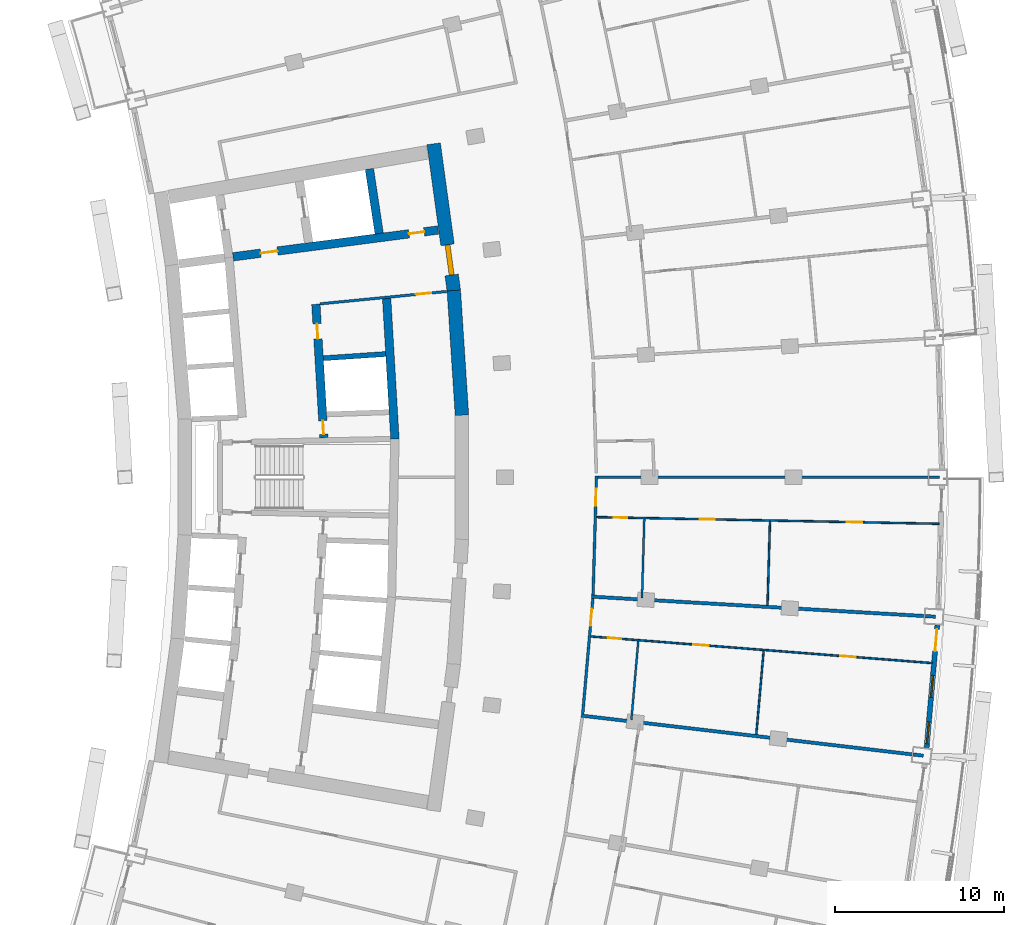
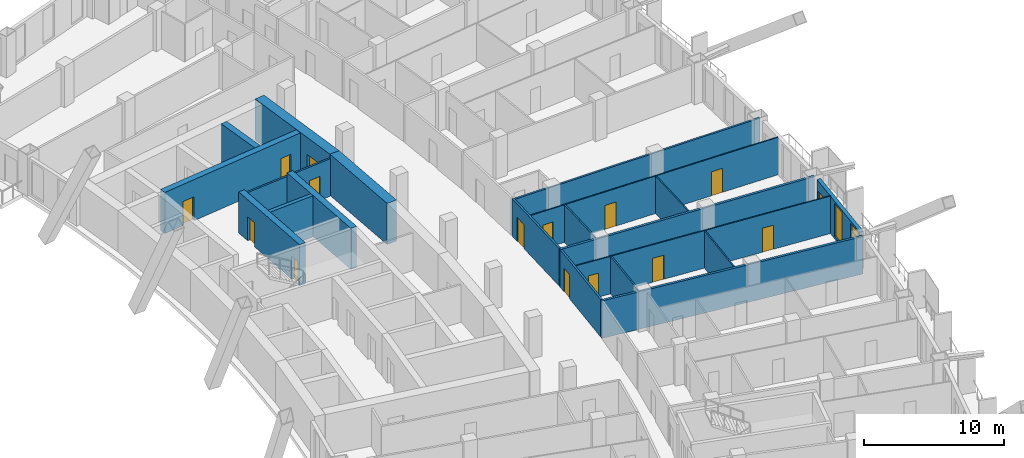
# One storey, part 17 of 25: 20 walls, 15 doors, 2 windows, 17 openings.
"""IFC4 building model written with IfcOpenShell, lengths in metres."""

from ifc_helpers import new_model, si_unit, direction, frame, frame_2d, origin, place, context, subcontext, project, spatial, rectangle, extrude, material, layer, layer_set, type_object, element, fill, save


model = new_model("IFC4")

# Units and contexts
model_context = context("Model", 3, precision=1e-05, world=origin(), true_north=direction((0.0, 1.0)))
body_context = subcontext(model_context, "Body", "Model", "MODEL_VIEW")
ifc_project = project(units=[si_unit("LENGTHUNIT", "METRE"), si_unit("AREAUNIT", "SQUARE_METRE"), si_unit("VOLUMEUNIT", "CUBIC_METRE"), si_unit("PLANEANGLEUNIT", "RADIAN"), si_unit("MASSUNIT", "GRAM", prefix="KILO")], contexts=[model_context])

# Site, building, storey
site_placement = place(None, origin())
site = spatial("IfcSite", under=ifc_project, at=site_placement, CompositionType="ELEMENT")
building_placement = place(site_placement, origin())
building = spatial("IfcBuilding", under=site, at=building_placement, Name="Alderwake Tower", CompositionType="ELEMENT")
storey_placement = place(building_placement, frame((0.0, 0.0, 93.199951171875)))
storey = spatial("IfcBuildingStorey", under=building, at=storey_placement, Name="L22", CompositionType="ELEMENT", Elevation=93.199951171875)

# Wall, opening, door
ifc_material_1 = material(Name="Gypsum shaft wall system, rated")
ifc_layer_1 = layer(ifc_material_1, 0.14990234375)
ifc_layer_set_1 = layer_set([ifc_layer_1], Name="Core room partition 150")
wall_type_1 = type_object("IfcWallType", Name="Core room partition 150", PredefinedType="PARTITIONING", material=ifc_layer_set_1)
wall_1_placement = place(storey_placement, frame((32.333251953125, 71.991943359375, 0.0), z_axis=(0.0, 0.0, 1.0), x_axis=(-0.995248348328, -0.097369015353, 0.0)))
wall_1 = element("IfcWall", 1, at=wall_1_placement, inside=storey, type_object=wall_type_1, Name="CW/L22/PR+102_+86", PredefinedType="PARTITIONING", context=body_context, shape_type="SweptSolid", body=[
    extrude(rectangle(XDim=7.51953125, YDim=0.14990234375, at=frame_2d((3.759765625, 0.0))), origin(), (0.0, 0.0, 1.0), 3.280029296875),
])
opening_1_placement = place(wall_1_placement, frame((0.919921875, 0.0, 0.0)))
opening_1 = element("IfcOpeningElement", 2, at=opening_1_placement, cuts=wall_1, Name="Opening C032", PredefinedType="OPENING", context=body_context, shape_type="SweptSolid", body=[
    extrude(rectangle(XDim=0.89990234375, YDim=2.10009765625, at=frame_2d((0.449951171875, 1.050048828125))), frame((0.0, 0.0849609375, 0.0), z_axis=(0.0, -1.0, 0.0), x_axis=(1.0, 0.0, 0.0)), (0.0, 0.0, 1.0), 0.169921875),
])
ifc_material_2 = material(Name="Painted steel leaf", Category="steel")
door_type_1 = type_object("IfcDoorType", Name="Core room door 900", OperationType="SINGLE_SWING_LEFT", PredefinedType="DOOR", material=ifc_material_2)
door_1_placement = place(opening_1_placement, origin())
door_1 = element("IfcDoor", 3, at=door_1_placement, inside=storey, type_object=door_type_1, Name="Room door", OperationType="SINGLE_SWING_RIGHT", OverallHeight=2.10009765625, OverallWidth=0.89990234375, PredefinedType="DOOR", context=body_context, shape_type="SweptSolid", body=[
    extrude(rectangle(XDim=0.89990234375, YDim=2.10009765625, at=frame_2d((0.449951171875, 1.050048828125))), frame((0.0, 0.02490234375, 0.0), z_axis=(0.0, -1.0, 0.0), x_axis=(1.0, 0.0, 0.0)), (0.0, 0.0, 1.0), 0.050048828125),
])
fill(opening_1, door_1)

# Wall
ifc_material_3 = material(Name="Concrete C70/85", Category="concrete")
ifc_layer_2 = layer(ifc_material_3, 0.800048828125)
ifc_layer_set_2 = layer_set([ifc_layer_2], Name="Core wall outer 800 C70-85")
wall_type_2 = type_object("IfcWallType", Name="Core wall outer 800 C70-85", PredefinedType="SHEAR", material=ifc_layer_set_2)
wall_2_placement = place(storey_placement, frame((33.240966796875, 64.669677734375, 0.0), z_axis=(0.0, 0.0, 1.0), x_axis=(-0.064976219143, 0.997886812693, 0.0)))
element("IfcWall", 4, at=wall_2_placement, inside=storey, type_object=wall_type_2, Name="Core wall CW.010", PredefinedType="SHEAR", context=body_context, shape_type="SweptSolid", body=[
    extrude(rectangle(XDim=7.39453125, YDim=0.800048828125, at=frame_2d((3.697265625, 0.0))), origin(), (0.0, 0.0, 1.0), 3.60009765625),
])

# Wall, opening, door
wall_3_placement = place(storey_placement, frame((31.569580078125, 80.7265625, 0.0), z_axis=(0.0, 0.0, 1.0), x_axis=(0.135838347444, -0.990731014637, 0.0)))
wall_3 = element("IfcWall", 5, at=wall_3_placement, inside=storey, type_object=wall_type_2, Name="Core wall CW.009", PredefinedType="SHEAR", context=body_context, shape_type="SweptSolid", body=[
    extrude(rectangle(XDim=8.788818359375, YDim=0.800048828125, at=frame_2d((4.39453125, 0.0))), origin(), (0.0, 0.0, 1.0), 3.60009765625),
])
opening_2_placement = place(wall_3_placement, frame((6.032958984375, 0.0, 0.0)))
opening_2 = element("IfcOpeningElement", 6, at=opening_2_placement, cuts=wall_3, Name="Opening C001", PredefinedType="OPENING", context=body_context, shape_type="SweptSolid", body=[
    extrude(rectangle(XDim=1.800048828125, YDim=2.10009765625, at=frame_2d((0.89990234375, 1.050048828125))), frame((0.0, 0.409912109375, 0.0), z_axis=(0.0, -1.0, 0.0), x_axis=(1.0, 0.0, 0.0)), (0.0, 0.0, 1.0), 0.820068359375),
])
ifc_material_4 = material(Name="Steel-framed fire door leaves", Category="steel")
door_type_2 = type_object("IfcDoorType", Name="Core double door 1800 fire-rated", OperationType="DOUBLE_DOOR_SINGLE_SWING", PredefinedType="DOOR", material=ifc_material_4)
door_2_placement = place(opening_2_placement, origin())
door_2 = element("IfcDoor", 7, at=door_2_placement, inside=storey, type_object=door_type_2, Name="Lobby double door", OperationType="DOUBLE_DOOR_SINGLE_SWING", OverallHeight=2.10009765625, OverallWidth=1.800048828125, PredefinedType="DOOR", context=body_context, shape_type="SweptSolid", body=[
    extrude(rectangle(XDim=1.800048828125, YDim=2.10009765625, at=frame_2d((0.89990234375, 1.050048828125))), frame((0.0, 0.14990234375, 0.0), z_axis=(0.0, -1.0, 0.0), x_axis=(1.0, 0.0, 0.0)), (0.0, 0.0, 1.0), 0.300048828125),
])
fill(opening_2, door_2)

# Wall
ifc_material_5 = material(Name="Concrete C70/85", Category="concrete")
ifc_layer_3 = layer(ifc_material_5, 0.300048828125)
ifc_layer_set_3 = layer_set([ifc_layer_3], Name="Core wall shaft 300 C70-85")
wall_type_3 = type_object("IfcWallType", Name="Core wall shaft 300 C70-85", PredefinedType="SHEAR", material=ifc_layer_set_3)
wall_4_placement = place(storey_placement, frame((25.042236328125, 68.0419921875, 0.0), z_axis=(0.0, 0.0, 1.0), x_axis=(0.997759366198, 0.066904761896, 0.0)))
element("IfcWall", 8, at=wall_4_placement, inside=storey, type_object=wall_type_3, Name="Core wall CW.063", PredefinedType="SHEAR", context=body_context, shape_type="SweptSolid", body=[
    extrude(rectangle(XDim=3.696533203125, YDim=0.300048828125, at=frame_2d((1.84814453125, 0.0))), origin(), (0.0, 0.0, 1.0), 3.60009765625),
])

# Wall, openings, doors
ifc_material_6 = material(Name="Concrete C70/85", Category="concrete")
ifc_layer_4 = layer(ifc_material_6, 0.5)
ifc_layer_set_4 = layer_set([ifc_layer_4], Name="Core wall spine 500 C70-85")
wall_type_4 = type_object("IfcWallType", Name="Core wall spine 500 C70-85", PredefinedType="SHEAR", material=ifc_layer_set_4)
wall_5_placement = place(storey_placement, frame((25.073974609375, 63.335693359375, 0.0), z_axis=(0.0, 0.0, 1.0), x_axis=(-0.059848641072, 0.998207463487, 0.0)))
wall_5 = element("IfcWall", 9, at=wall_5_placement, inside=storey, type_object=wall_type_4, Name="Core wall CW.045", PredefinedType="SHEAR", context=body_context, shape_type="SweptSolid", body=[
    extrude(rectangle(XDim=7.913818359375, YDim=0.5, at=frame_2d((3.95703125, 0.0))), origin(), (0.0, 0.0, 1.0), 3.60009765625),
])
opening_3_placement = place(wall_5_placement, frame((0.216064453125, 0.0, 0.0)))
opening_3 = element("IfcOpeningElement", 10, at=opening_3_placement, cuts=wall_5, Name="Opening C005", PredefinedType="OPENING", context=body_context, shape_type="SweptSolid", body=[
    extrude(rectangle(XDim=0.800048828125, YDim=2.0, at=frame_2d((0.39990234375, 1.0))), frame((0.0, 0.260009765625, 0.0), z_axis=(0.0, -1.0, 0.0), x_axis=(1.0, 0.0, 0.0)), (0.0, 0.0, 1.0), 0.52001953125),
])
opening_4_placement = place(wall_5_placement, frame((5.856201171875, 0.0, 0.0)))
opening_4 = element("IfcOpeningElement", 11, at=opening_4_placement, cuts=wall_5, Name="Opening C023", PredefinedType="OPENING", context=body_context, shape_type="SweptSolid", body=[
    extrude(rectangle(XDim=0.89990234375, YDim=2.10009765625, at=frame_2d((0.449951171875, 1.050048828125))), frame((0.0, 0.260009765625, 0.0), z_axis=(0.0, -1.0, 0.0), x_axis=(1.0, 0.0, 0.0)), (0.0, 0.0, 1.0), 0.52001953125),
])
door_3_placement = place(opening_4_placement, origin())
door_3 = element("IfcDoor", 12, at=door_3_placement, inside=storey, type_object=door_type_1, Name="Room door", OperationType="SINGLE_SWING_RIGHT", OverallHeight=2.10009765625, OverallWidth=0.89990234375, PredefinedType="DOOR", context=body_context, shape_type="SweptSolid", body=[
    extrude(rectangle(XDim=0.89990234375, YDim=2.10009765625, at=frame_2d((0.449951171875, 1.050048828125))), frame((0.0, 0.02490234375, 0.0), z_axis=(0.0, -1.0, 0.0), x_axis=(1.0, 0.0, 0.0)), (0.0, 0.0, 1.0), 0.050048828125),
])
fill(opening_4, door_3)
ifc_material_7 = material(Name="Painted steel leaf, rated", Category="steel")
door_type_3 = type_object("IfcDoorType", Name="Riser access door 800", OperationType="SINGLE_SWING_LEFT", PredefinedType="DOOR", material=ifc_material_7)
door_4_placement = place(opening_3_placement, origin())
door_4 = element("IfcDoor", 13, at=door_4_placement, inside=storey, type_object=door_type_3, Name="Riser access door", OperationType="SINGLE_SWING_LEFT", OverallHeight=2.0, OverallWidth=0.800048828125, PredefinedType="DOOR", context=body_context, shape_type="SweptSolid", body=[
    extrude(rectangle(XDim=0.800048828125, YDim=2.0, at=frame_2d((0.39990234375, 1.0))), frame((0.0, 0.02490234375, 0.0), z_axis=(0.0, -1.0, 0.0), x_axis=(1.0, 0.0, 0.0)), (0.0, 0.0, 1.0), 0.050048828125),
])
fill(opening_3, door_4)

# Walls
wall_6_placement = place(storey_placement, frame((29.277099609375, 63.2626953125, 0.0), z_axis=(0.0, 0.0, 1.0), x_axis=(-0.058825214895, 0.99826829765, 0.0)))
element("IfcWall", 14, at=wall_6_placement, inside=storey, type_object=wall_type_4, Name="Core wall CW.002", PredefinedType="SHEAR", context=body_context, shape_type="SweptSolid", body=[
    extrude(rectangle(XDim=8.3212890625, YDim=0.5, at=frame_2d((4.16064453125, 0.0))), origin(), (0.0, 0.0, 1.0), 3.60009765625),
])
wall_7_placement = place(storey_placement, frame((28.34423828125, 75.4228515625, 0.0), z_axis=(0.0, 0.0, 1.0), x_axis=(-0.14943460482, 0.988771611082, 0.0)))
element("IfcWall", 15, at=wall_7_placement, inside=storey, type_object=wall_type_4, Name="Core wall CW.001", PredefinedType="SHEAR", context=body_context, shape_type="SweptSolid", body=[
    extrude(rectangle(XDim=3.8623046875, YDim=0.5, at=frame_2d((1.93115234375, 0.0))), origin(), (0.0, 0.0, 1.0), 3.60009765625),
])

# Wall, openings, doors
wall_8_placement = place(storey_placement, frame((31.834716796875, 75.627197265625, 0.0), z_axis=(0.0, 0.0, 1.0), x_axis=(-0.991555516999, -0.129682908318, 0.0)))
wall_8 = element("IfcWall", 16, at=wall_8_placement, inside=storey, type_object=wall_type_4, Name="Core wall CW.052", PredefinedType="SHEAR", context=body_context, shape_type="SweptSolid", body=[
    extrude(rectangle(XDim=12.23681640625, YDim=0.5, at=frame_2d((6.118408203125, 0.0))), origin(), (0.0, 0.0, 1.0), 3.60009765625),
])
opening_5_placement = place(wall_8_placement, frame((9.587158203125, 0.0, 0.0)))
opening_5 = element("IfcOpeningElement", 17, at=opening_5_placement, cuts=wall_8, Name="Opening C002", PredefinedType="OPENING", context=body_context, shape_type="SweptSolid", body=[
    extrude(rectangle(XDim=1.0, YDim=2.10009765625, at=frame_2d((0.5, 1.050048828125))), frame((0.0, 0.260009765625, 0.0), z_axis=(0.0, -1.0, 0.0), x_axis=(1.0, 0.0, 0.0)), (0.0, 0.0, 1.0), 0.52001953125),
])
opening_6_placement = place(wall_8_placement, frame((0.837158203125, 0.0, 0.0)))
opening_6 = element("IfcOpeningElement", 18, at=opening_6_placement, cuts=wall_8, Name="Opening C020", PredefinedType="OPENING", context=body_context, shape_type="SweptSolid", body=[
    extrude(rectangle(XDim=0.89990234375, YDim=2.10009765625, at=frame_2d((0.449951171875, 1.050048828125))), frame((0.0, 0.260009765625, 0.0), z_axis=(0.0, -1.0, 0.0), x_axis=(1.0, 0.0, 0.0)), (0.0, 0.0, 1.0), 0.52001953125),
])
door_5_placement = place(opening_6_placement, origin())
door_5 = element("IfcDoor", 19, at=door_5_placement, inside=storey, type_object=door_type_1, Name="Room door", OperationType="SINGLE_SWING_LEFT", OverallHeight=2.10009765625, OverallWidth=0.89990234375, PredefinedType="DOOR", context=body_context, shape_type="SweptSolid", body=[
    extrude(rectangle(XDim=0.89990234375, YDim=2.10009765625, at=frame_2d((0.449951171875, 1.050048828125))), frame((0.0, 0.02490234375, 0.0), z_axis=(0.0, -1.0, 0.0), x_axis=(1.0, 0.0, 0.0)), (0.0, 0.0, 1.0), 0.050048828125),
])
fill(opening_6, door_5)
ifc_material_8 = material(Name="Steel-framed fire door leaf", Category="steel")
door_type_4 = type_object("IfcDoorType", Name="Firefighting lobby door 1000 fire-rated", OperationType="SINGLE_SWING_LEFT", PredefinedType="DOOR", material=ifc_material_8)
door_6_placement = place(opening_5_placement, origin())
door_6 = element("IfcDoor", 20, at=door_6_placement, inside=storey, type_object=door_type_4, Name="Firefighting lobby door", OperationType="SINGLE_SWING_RIGHT", OverallHeight=2.10009765625, OverallWidth=1.0, PredefinedType="DOOR", context=body_context, shape_type="SweptSolid", body=[
    extrude(rectangle(XDim=1.0, YDim=2.10009765625, at=frame_2d((0.5, 1.050048828125))), frame((0.0, 0.02490234375, 0.0), z_axis=(0.0, -1.0, 0.0), x_axis=(1.0, 0.0, 0.0)), (0.0, 0.0, 1.0), 0.050048828125),
])
fill(opening_5, door_6)

# Wall, opening, door
ifc_material_9 = material(Name="Gypsum board on metal studs, rated")
ifc_layer_5 = layer(ifc_material_9, 0.159912109375)
ifc_layer_set_5 = layer_set([ifc_layer_5], Name="Corridor wall 160")
wall_type_5 = type_object("IfcWallType", Name="Corridor wall 160", PredefinedType="PARTITIONING", material=ifc_layer_set_5)
wall_9_placement = place(storey_placement, frame((40.986328125, 53.834228515625, 0.0), z_axis=(0.0, 0.0, 1.0), x_axis=(-0.087448731147, -0.996169021512, 0.0)))
wall_9 = element("IfcWall", 21, at=wall_9_placement, inside=storey, type_object=wall_type_5, Name="WL/L22/W40", PredefinedType="PARTITIONING", context=body_context, shape_type="SweptSolid", body=[
    extrude(rectangle(XDim=6.867919921875, YDim=0.159912109375, at=frame_2d((3.43408203125, 0.0))), origin(), (0.0, 0.0, 1.0), 3.280029296875),
])
opening_7_placement = place(wall_9_placement, frame((0.628173828125, 0.0, 0.0)))
opening_7 = element("IfcOpeningElement", 22, at=opening_7_placement, cuts=wall_9, Name="Opening R06-U07.2", PredefinedType="OPENING", context=body_context, shape_type="SweptSolid", body=[
    extrude(rectangle(XDim=1.0, YDim=2.10009765625, at=frame_2d((0.5, 1.050048828125))), frame((0.0, 0.08984375, 0.0), z_axis=(0.0, -1.0, 0.0), x_axis=(1.0, 0.0, 0.0)), (0.0, 0.0, 1.0), 0.179931640625),
])
ifc_material_10 = material(Name="Solid timber leaf in steel frame", Category="steel")
door_type_5 = type_object("IfcDoorType", Name="Flat entrance door 1000 fire-rated", OperationType="SINGLE_SWING_LEFT", PredefinedType="DOOR", material=ifc_material_10)
door_7_placement = place(opening_7_placement, origin())
door_7 = element("IfcDoor", 23, at=door_7_placement, inside=storey, type_object=door_type_5, Name="DR/L22/U07.2", OperationType="SINGLE_SWING_LEFT", OverallHeight=2.10009765625, OverallWidth=1.0, PredefinedType="DOOR", context=body_context, shape_type="SweptSolid", body=[
    extrude(rectangle(XDim=1.0, YDim=2.10009765625, at=frame_2d((0.5, 1.050048828125))), frame((0.0, 0.02490234375, 0.0), z_axis=(0.0, -1.0, 0.0), x_axis=(1.0, 0.0, 0.0)), (0.0, 0.0, 1.0), 0.050048828125),
])
fill(opening_7, door_7)

wall_10_placement = place(storey_placement, frame((41.201416015625, 61.0791015625, 0.0), z_axis=(0.0, 0.0, 1.0), x_axis=(-0.028889070526, -0.999582623701, 0.0)))
wall_10 = element("IfcWall", 24, at=wall_10_placement, inside=storey, type_object=wall_type_5, Name="WL/L22/W41", PredefinedType="PARTITIONING", context=body_context, shape_type="SweptSolid", body=[
    extrude(rectangle(XDim=7.048095703125, YDim=0.159912109375, at=frame_2d((3.52392578125, 0.0))), origin(), (0.0, 0.0, 1.0), 3.280029296875),
])
opening_8_placement = place(wall_10_placement, frame((0.757080078125, 0.0, 0.0)))
opening_8 = element("IfcOpeningElement", 25, at=opening_8_placement, cuts=wall_10, Name="Opening R06-U08.2", PredefinedType="OPENING", context=body_context, shape_type="SweptSolid", body=[
    extrude(rectangle(XDim=1.0, YDim=2.10009765625, at=frame_2d((0.5, 1.050048828125))), frame((0.0, 0.08984375, 0.0), z_axis=(0.0, -1.0, 0.0), x_axis=(1.0, 0.0, 0.0)), (0.0, 0.0, 1.0), 0.179931640625),
])
door_8_placement = place(opening_8_placement, origin())
door_8 = element("IfcDoor", 26, at=door_8_placement, inside=storey, type_object=door_type_5, Name="DR/L22/U08.2", OperationType="SINGLE_SWING_LEFT", OverallHeight=2.10009765625, OverallWidth=1.0, PredefinedType="DOOR", context=body_context, shape_type="SweptSolid", body=[
    extrude(rectangle(XDim=1.0, YDim=2.10009765625, at=frame_2d((0.5, 1.050048828125))), frame((0.0, 0.02490234375, 0.0), z_axis=(0.0, -1.0, 0.0), x_axis=(1.0, 0.0, 0.0)), (0.0, 0.0, 1.0), 0.050048828125),
])
fill(opening_8, door_8)

# Wall
wall_11_placement = place(storey_placement, frame((61.5, 60.9990234375, 0.0), z_axis=(0.0, 0.0, 1.0), x_axis=(-1.0, 0.0, 0.0)))
element("IfcWall", 27, at=wall_11_placement, inside=storey, type_object=wall_type_5, Name="WL/L22/W45", PredefinedType="PARTITIONING", context=body_context, shape_type="SweptSolid", body=[
    extrude(rectangle(XDim=20.220947265625, YDim=0.159912109375, at=frame_2d((10.1103515625, 0.0))), origin(), (0.0, 0.0, 1.0), 3.280029296875),
])

# Wall, openings, door, windows
ifc_material_11 = material(Name="Precast concrete C50/60 spandrel panel", Category="concrete")
ifc_layer_6 = layer(ifc_material_11, 0.300048828125)
ifc_layer_set_6 = layer_set([ifc_layer_6], Name="External wall EW1 Precast concrete C50/60 spandrel")
wall_type_6 = type_object("IfcWallType", Name="External wall EW1 Precast concrete C50/60 spandrel", PredefinedType="SOLIDWALL", material=ifc_layer_set_6)
wall_12_placement = place(storey_placement, frame((60.730712890625, 45.008544921875, 0.0), z_axis=(0.0, 0.0, 1.0), x_axis=(0.087383747715, 0.996174723949, 0.0)))
wall_12 = element("IfcWall", 28, at=wall_12_placement, inside=storey, type_object=wall_type_6, Name="External wall 15", PredefinedType="SOLIDWALL", context=body_context, shape_type="SweptSolid", body=[
    extrude(rectangle(XDim=7.26416015625, YDim=0.300048828125, at=frame_2d((3.632080078125, 0.0))), origin(), (0.0, 0.0, 1.0), 3.280029296875),
])
opening_9_placement = place(wall_12_placement, frame((0.23291015625, 0.0, 0.199951171875)))
opening_9 = element("IfcOpeningElement", 29, at=opening_9_placement, cuts=wall_12, Name="Opening W1", PredefinedType="OPENING", context=body_context, shape_type="SweptSolid", body=[
    extrude(rectangle(XDim=1.300048828125, YDim=2.89990234375, at=frame_2d((0.64990234375, 1.449951171875))), frame((0.0, 0.159912109375, 0.0), z_axis=(0.0, -1.0, 0.0), x_axis=(1.0, 0.0, 0.0)), (0.0, 0.0, 1.0), 0.320068359375),
])
opening_10_placement = place(wall_12_placement, frame((2.98193359375, 0.0, 0.199951171875)))
opening_10 = element("IfcOpeningElement", 30, at=opening_10_placement, cuts=wall_12, Name="Opening W1", PredefinedType="OPENING", context=body_context, shape_type="SweptSolid", body=[
    extrude(rectangle(XDim=1.300048828125, YDim=2.89990234375, at=frame_2d((0.64990234375, 1.449951171875))), frame((0.0, 0.159912109375, 0.0), z_axis=(0.0, -1.0, 0.0), x_axis=(1.0, 0.0, 0.0)), (0.0, 0.0, 1.0), 0.320068359375),
])
opening_11_placement = place(wall_12_placement, frame((5.731201171875, 0.0, 0.0)))
opening_11 = element("IfcOpeningElement", 31, at=opening_11_placement, cuts=wall_12, Name="Opening D06", PredefinedType="OPENING", context=body_context, shape_type="SweptSolid", body=[
    extrude(rectangle(XDim=1.300048828125, YDim=2.39990234375, at=frame_2d((0.64990234375, 1.199951171875))), frame((0.0, 0.159912109375, 0.0), z_axis=(0.0, -1.0, 0.0), x_axis=(1.0, 0.0, 0.0)), (0.0, 0.0, 1.0), 0.320068359375),
])
ifc_material_12 = material(Name="Bronze tinted glass in aluminium frame", Category="aluminium")
door_type_6 = type_object("IfcDoorType", Name="Balcony door BD sliding", OperationType="SLIDING_TO_LEFT", PredefinedType="DOOR", material=ifc_material_12)
door_9_placement = place(opening_11_placement, origin())
door_9 = element("IfcDoor", 32, at=door_9_placement, inside=storey, type_object=door_type_6, Name="Door D06", OperationType="SLIDING_TO_LEFT", OverallHeight=2.39990234375, OverallWidth=1.300048828125, PredefinedType="DOOR", context=body_context, shape_type="SweptSolid", body=[
    extrude(rectangle(XDim=1.300048828125, YDim=2.39990234375, at=frame_2d((0.64990234375, 1.199951171875))), frame((0.0, 0.02490234375, 0.0), z_axis=(0.0, -1.0, 0.0), x_axis=(1.0, 0.0, 0.0)), (0.0, 0.0, 1.0), 0.050048828125),
])
fill(opening_11, door_9)
ifc_material_13 = material(Name="Bronze tinted glass in aluminium frame", Category="aluminium")
window_type = type_object("IfcWindowType", Name="Window W1 tall fixed and vent", PartitioningType="DOUBLE_PANEL_VERTICAL", PredefinedType="WINDOW", material=ifc_material_13)
window_1_placement = place(opening_9_placement, origin())
window_1 = element("IfcWindow", 33, at=window_1_placement, inside=storey, type_object=window_type, Name="Window W1 tall fixed and vent", OverallHeight=2.89990234375, OverallWidth=1.300048828125, PartitioningType="DOUBLE_PANEL_VERTICAL", PredefinedType="WINDOW", context=body_context, shape_type="SweptSolid", body=[
    extrude(rectangle(XDim=1.300048828125, YDim=2.89990234375, at=frame_2d((0.64990234375, 1.449951171875))), frame((0.0, 0.030029296875, 0.0), z_axis=(0.0, -1.0, 0.0), x_axis=(1.0, 0.0, 0.0)), (0.0, 0.0, 1.0), 0.06005859375),
])
fill(opening_9, window_1)
window_2_placement = place(opening_10_placement, origin())
window_2 = element("IfcWindow", 34, at=window_2_placement, inside=storey, type_object=window_type, Name="Window W1 tall fixed and vent", OverallHeight=2.89990234375, OverallWidth=1.300048828125, PartitioningType="DOUBLE_PANEL_VERTICAL", PredefinedType="WINDOW", context=body_context, shape_type="SweptSolid", body=[
    extrude(rectangle(XDim=1.300048828125, YDim=2.89990234375, at=frame_2d((0.64990234375, 1.449951171875))), frame((0.0, 0.030029296875, 0.0), z_axis=(0.0, -1.0, 0.0), x_axis=(1.0, 0.0, 0.0)), (0.0, 0.0, 1.0), 0.06005859375),
])
fill(opening_10, window_2)

# Walls
ifc_material_14 = material(Name="Dense block masonry wall", Category="masonry")
ifc_layer_7 = layer(ifc_material_14, 0.199951171875)
ifc_layer_set_7 = layer_set([ifc_layer_7], Name="Party wall 200")
wall_type_7 = type_object("IfcWallType", Name="Party wall 200", PredefinedType="SOLIDWALL", material=ifc_layer_set_7)
wall_13_placement = place(storey_placement, frame((60.537109375, 44.529052734375, 0.0), z_axis=(0.0, 0.0, 1.0), x_axis=(-0.99319510115, 0.11646240188, 0.0)))
element("IfcWall", 35, at=wall_13_placement, inside=storey, type_object=wall_type_7, Name="WL/L22/W11", PredefinedType="SOLIDWALL", context=body_context, shape_type="SweptSolid", body=[
    extrude(rectangle(XDim=20.378173828125, YDim=0.199951171875, at=frame_2d((10.18896484375, 0.0))), origin(), (0.0, 0.0, 1.0), 3.280029296875),
])
wall_14_placement = place(storey_placement, frame((61.260009765625, 52.751953125, 0.0), z_axis=(0.0, 0.0, 1.0), x_axis=(-0.998303004761, 0.058233243807, 0.0)))
element("IfcWall", 36, at=wall_14_placement, inside=storey, type_object=wall_type_7, Name="WL/L22/W13", PredefinedType="SOLIDWALL", context=body_context, shape_type="SweptSolid", body=[
    extrude(rectangle(XDim=20.379638671875, YDim=0.199951171875, at=frame_2d((10.18994140625, 0.0))), origin(), (0.0, 0.0, 1.0), 3.280029296875),
])

# Wall, openings, doors
ifc_material_15 = material(Name="Gypsum board on metal studs")
ifc_layer_8 = layer(ifc_material_15, 0.10009765625)
ifc_layer_set_8 = layer_set([ifc_layer_8], Name="Unit partition 100")
wall_type_8 = type_object("IfcWallType", Name="Unit partition 100", PredefinedType="PARTITIONING", material=ifc_layer_set_8)
wall_15_placement = place(storey_placement, frame((61.068115234375, 50.007080078125, 0.0), z_axis=(0.0, 0.0, 1.0), x_axis=(-0.996975284787, 0.077719248089, 0.0)))
wall_15 = element("IfcWall", 37, at=wall_15_placement, inside=storey, type_object=wall_type_8, Name="WL/L22/W73", PredefinedType="PARTITIONING", context=body_context, shape_type="SweptSolid", body=[
    extrude(rectangle(XDim=20.261474609375, YDim=0.10009765625, at=frame_2d((10.130859375, 0.0))), origin(), (0.0, 0.0, 1.0), 3.280029296875),
])
opening_12_placement = place(wall_15_placement, frame((13.2744140625, 0.0, 0.0)))
opening_12 = element("IfcOpeningElement", 38, at=opening_12_placement, cuts=wall_15, Name="Opening R06-U07.1", PredefinedType="OPENING", context=body_context, shape_type="SweptSolid", body=[
    extrude(rectangle(XDim=0.89990234375, YDim=2.10009765625, at=frame_2d((0.449951171875, 1.050048828125))), frame((0.0, 0.06005859375, 0.0), z_axis=(0.0, -1.0, 0.0), x_axis=(1.0, 0.0, 0.0)), (0.0, 0.0, 1.0), 0.1201171875),
])
opening_13_placement = place(wall_15_placement, frame((18.4521484375, 0.0, 0.0)))
opening_13 = element("IfcOpeningElement", 39, at=opening_13_placement, cuts=wall_15, Name="Opening R06-U07.3", PredefinedType="OPENING", context=body_context, shape_type="SweptSolid", body=[
    extrude(rectangle(XDim=0.800048828125, YDim=2.10009765625, at=frame_2d((0.39990234375, 1.050048828125))), frame((0.0, 0.06005859375, 0.0), z_axis=(0.0, -1.0, 0.0), x_axis=(1.0, 0.0, 0.0)), (0.0, 0.0, 1.0), 0.1201171875),
])
opening_14_placement = place(wall_15_placement, frame((4.552978515625, 0.0, 0.0)))
opening_14 = element("IfcOpeningElement", 40, at=opening_14_placement, cuts=wall_15, Name="Opening R06-U07.4", PredefinedType="OPENING", context=body_context, shape_type="SweptSolid", body=[
    extrude(rectangle(XDim=0.89990234375, YDim=2.10009765625, at=frame_2d((0.449951171875, 1.050048828125))), frame((0.0, 0.06005859375, 0.0), z_axis=(0.0, -1.0, 0.0), x_axis=(1.0, 0.0, 0.0)), (0.0, 0.0, 1.0), 0.1201171875),
])
ifc_material_16 = material(Name="Painted timber leaf", Category="wood")
door_type_7 = type_object("IfcDoorType", Name="Bathroom door 800", OperationType="SINGLE_SWING_LEFT", PredefinedType="DOOR", material=ifc_material_16)
door_10_placement = place(opening_13_placement, origin())
door_10 = element("IfcDoor", 41, at=door_10_placement, inside=storey, type_object=door_type_7, Name="DR/L22/U07.3", OperationType="SINGLE_SWING_LEFT", OverallHeight=2.10009765625, OverallWidth=0.800048828125, PredefinedType="DOOR", context=body_context, shape_type="SweptSolid", body=[
    extrude(rectangle(XDim=0.800048828125, YDim=2.10009765625, at=frame_2d((0.39990234375, 1.050048828125))), frame((0.0, 0.02490234375, 0.0), z_axis=(0.0, -1.0, 0.0), x_axis=(1.0, 0.0, 0.0)), (0.0, 0.0, 1.0), 0.050048828125),
])
fill(opening_13, door_10)
ifc_material_17 = material(Name="Painted timber leaf", Category="wood")
door_type_8 = type_object("IfcDoorType", Name="Room door 900", OperationType="SINGLE_SWING_LEFT", PredefinedType="DOOR", material=ifc_material_17)
door_11_placement = place(opening_12_placement, origin())
door_11 = element("IfcDoor", 42, at=door_11_placement, inside=storey, type_object=door_type_8, Name="DR/L22/U07.1", OperationType="SINGLE_SWING_LEFT", OverallHeight=2.10009765625, OverallWidth=0.89990234375, PredefinedType="DOOR", context=body_context, shape_type="SweptSolid", body=[
    extrude(rectangle(XDim=0.89990234375, YDim=2.10009765625, at=frame_2d((0.449951171875, 1.050048828125))), frame((0.0, 0.02490234375, 0.0), z_axis=(0.0, -1.0, 0.0), x_axis=(1.0, 0.0, 0.0)), (0.0, 0.0, 1.0), 0.050048828125),
])
fill(opening_12, door_11)
door_12_placement = place(opening_14_placement, origin())
door_12 = element("IfcDoor", 43, at=door_12_placement, inside=storey, type_object=door_type_8, Name="DR/L22/U07.4", OperationType="SINGLE_SWING_LEFT", OverallHeight=2.10009765625, OverallWidth=0.89990234375, PredefinedType="DOOR", context=body_context, shape_type="SweptSolid", body=[
    extrude(rectangle(XDim=0.89990234375, YDim=2.10009765625, at=frame_2d((0.449951171875, 1.050048828125))), frame((0.0, 0.02490234375, 0.0), z_axis=(0.0, -1.0, 0.0), x_axis=(1.0, 0.0, 0.0)), (0.0, 0.0, 1.0), 0.050048828125),
])
fill(opening_14, door_12)

wall_16_placement = place(storey_placement, frame((61.469970703125, 58.248046875, 0.0), z_axis=(0.0, 0.0, 1.0), x_axis=(-0.999810681734, 0.019457664048, 0.0)))
wall_16 = element("IfcWall", 44, at=wall_16_placement, inside=storey, type_object=wall_type_8, Name="WL/L22/W74", PredefinedType="PARTITIONING", context=body_context, shape_type="SweptSolid", body=[
    extrude(rectangle(XDim=20.263916015625, YDim=0.10009765625, at=frame_2d((10.1318359375, 0.0))), origin(), (0.0, 0.0, 1.0), 3.280029296875),
])
opening_15_placement = place(wall_16_placement, frame((13.275390625, 0.0, 0.0)))
opening_15 = element("IfcOpeningElement", 45, at=opening_15_placement, cuts=wall_16, Name="Opening R06-U08.1", PredefinedType="OPENING", context=body_context, shape_type="SweptSolid", body=[
    extrude(rectangle(XDim=0.89990234375, YDim=2.10009765625, at=frame_2d((0.449951171875, 1.050048828125))), frame((0.0, 0.06005859375, 0.0), z_axis=(0.0, -1.0, 0.0), x_axis=(1.0, 0.0, 0.0)), (0.0, 0.0, 1.0), 0.1201171875),
])
opening_16_placement = place(wall_16_placement, frame((18.453857421875, 0.0, 0.0)))
opening_16 = element("IfcOpeningElement", 46, at=opening_16_placement, cuts=wall_16, Name="Opening R06-U08.3", PredefinedType="OPENING", context=body_context, shape_type="SweptSolid", body=[
    extrude(rectangle(XDim=0.800048828125, YDim=2.10009765625, at=frame_2d((0.39990234375, 1.050048828125))), frame((0.0, 0.06005859375, 0.0), z_axis=(0.0, -1.0, 0.0), x_axis=(1.0, 0.0, 0.0)), (0.0, 0.0, 1.0), 0.1201171875),
])
opening_17_placement = place(wall_16_placement, frame((4.5537109375, 0.0, 0.0)))
opening_17 = element("IfcOpeningElement", 47, at=opening_17_placement, cuts=wall_16, Name="Opening R06-U08.4", PredefinedType="OPENING", context=body_context, shape_type="SweptSolid", body=[
    extrude(rectangle(XDim=0.89990234375, YDim=2.10009765625, at=frame_2d((0.449951171875, 1.050048828125))), frame((0.0, 0.06005859375, 0.0), z_axis=(0.0, -1.0, 0.0), x_axis=(1.0, 0.0, 0.0)), (0.0, 0.0, 1.0), 0.1201171875),
])
door_13_placement = place(opening_16_placement, origin())
door_13 = element("IfcDoor", 48, at=door_13_placement, inside=storey, type_object=door_type_7, Name="DR/L22/U08.3", OperationType="SINGLE_SWING_LEFT", OverallHeight=2.10009765625, OverallWidth=0.800048828125, PredefinedType="DOOR", context=body_context, shape_type="SweptSolid", body=[
    extrude(rectangle(XDim=0.800048828125, YDim=2.10009765625, at=frame_2d((0.39990234375, 1.050048828125))), frame((0.0, 0.02490234375, 0.0), z_axis=(0.0, -1.0, 0.0), x_axis=(1.0, 0.0, 0.0)), (0.0, 0.0, 1.0), 0.050048828125),
])
fill(opening_16, door_13)
door_14_placement = place(opening_15_placement, origin())
door_14 = element("IfcDoor", 49, at=door_14_placement, inside=storey, type_object=door_type_8, Name="DR/L22/U08.1", OperationType="SINGLE_SWING_LEFT", OverallHeight=2.10009765625, OverallWidth=0.89990234375, PredefinedType="DOOR", context=body_context, shape_type="SweptSolid", body=[
    extrude(rectangle(XDim=0.89990234375, YDim=2.10009765625, at=frame_2d((0.449951171875, 1.050048828125))), frame((0.0, 0.02490234375, 0.0), z_axis=(0.0, -1.0, 0.0), x_axis=(1.0, 0.0, 0.0)), (0.0, 0.0, 1.0), 0.050048828125),
])
fill(opening_15, door_14)
door_15_placement = place(opening_17_placement, origin())
door_15 = element("IfcDoor", 50, at=door_15_placement, inside=storey, type_object=door_type_8, Name="DR/L22/U08.4", OperationType="SINGLE_SWING_LEFT", OverallHeight=2.10009765625, OverallWidth=0.89990234375, PredefinedType="DOOR", context=body_context, shape_type="SweptSolid", body=[
    extrude(rectangle(XDim=0.89990234375, YDim=2.10009765625, at=frame_2d((0.449951171875, 1.050048828125))), frame((0.0, 0.02490234375, 0.0), z_axis=(0.0, -1.0, 0.0), x_axis=(1.0, 0.0, 0.0)), (0.0, 0.0, 1.0), 0.050048828125),
])
fill(opening_17, door_15)

# Walls
wall_17_placement = place(storey_placement, frame((50.65478515625, 45.789794921875, 0.0), z_axis=(0.0, 0.0, 1.0), x_axis=(0.087408582497, 0.996172545148, 0.0)))
element("IfcWall", 51, at=wall_17_placement, inside=storey, type_object=wall_type_8, Name="WL/L22/W81", PredefinedType="PARTITIONING", context=body_context, shape_type="SweptSolid", body=[
    extrude(rectangle(XDim=4.96337890625, YDim=0.10009765625, at=frame_2d((2.481689453125, 0.0))), origin(), (0.0, 0.0, 1.0), 3.280029296875),
])
wall_18_placement = place(storey_placement, frame((51.31787109375, 53.430908203125, 0.0), z_axis=(0.0, 0.0, 1.0), x_axis=(0.029310894204, 0.999570343438, 0.0)))
element("IfcWall", 52, at=wall_18_placement, inside=storey, type_object=wall_type_8, Name="WL/L22/W86", PredefinedType="PARTITIONING", context=body_context, shape_type="SweptSolid", body=[
    extrude(rectangle(XDim=4.96435546875, YDim=0.10009765625, at=frame_2d((2.482177734375, 0.0))), origin(), (0.0, 0.0, 1.0), 3.280029296875),
])
ifc_material_18 = material(Name="Moisture resistant gypsum board on metal studs")
ifc_layer_9 = layer(ifc_material_18, 0.1201171875)
ifc_layer_set_9 = layer_set([ifc_layer_9], Name="Wet room partition 120")
wall_type_9 = type_object("IfcWallType", Name="Wet room partition 120", PredefinedType="PARTITIONING", material=ifc_layer_set_9)
wall_19_placement = place(storey_placement, frame((43.265625, 46.65380859375, 0.0), z_axis=(0.0, 0.0, 1.0), x_axis=(0.087069112872, 0.996202273428, 0.0)))
element("IfcWall", 53, at=wall_19_placement, inside=storey, type_object=wall_type_9, Name="WL/L22/W60", PredefinedType="PARTITIONING", context=body_context, shape_type="SweptSolid", body=[
    extrude(rectangle(XDim=4.67431640625, YDim=0.1201171875, at=frame_2d((2.337158203125, 0.0))), origin(), (0.0, 0.0, 1.0), 3.280029296875),
])
wall_20_placement = place(storey_placement, frame((43.892822265625, 53.865966796875, 0.0), z_axis=(0.0, 0.0, 1.0), x_axis=(0.029256273894, 0.999571943603, 0.0)))
element("IfcWall", 54, at=wall_20_placement, inside=storey, type_object=wall_type_9, Name="WL/L22/W63", PredefinedType="PARTITIONING", context=body_context, shape_type="SweptSolid", body=[
    extrude(rectangle(XDim=4.673095703125, YDim=0.1201171875, at=frame_2d((2.33642578125, 0.0))), origin(), (0.0, 0.0, 1.0), 3.280029296875),
])

save(model, "model.ifc")
